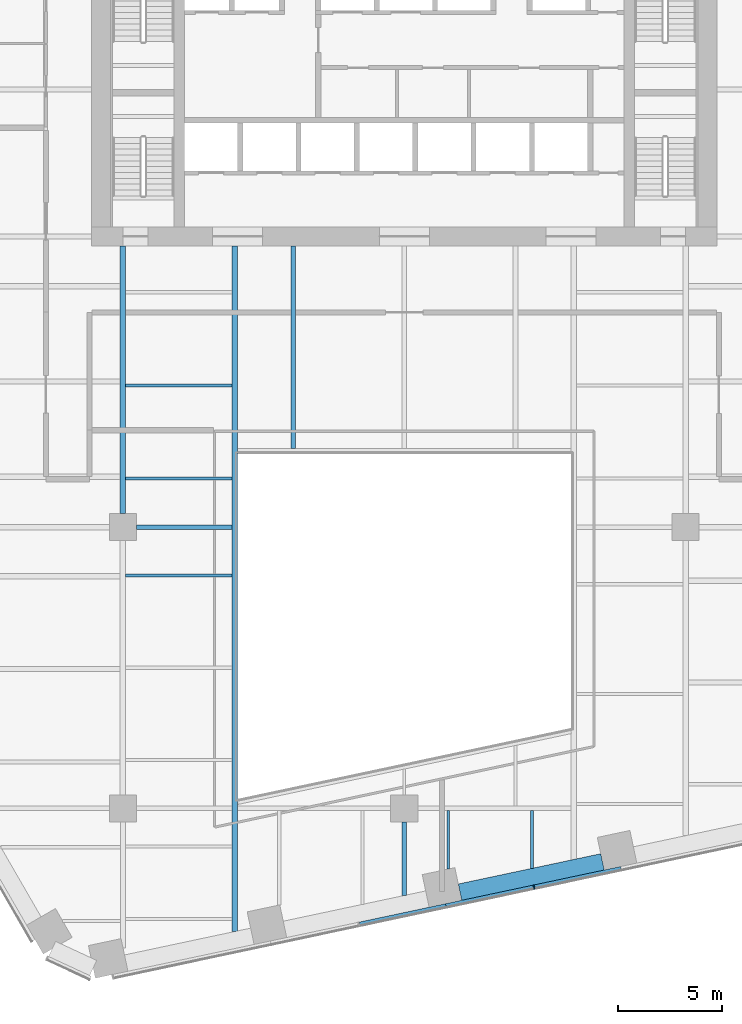
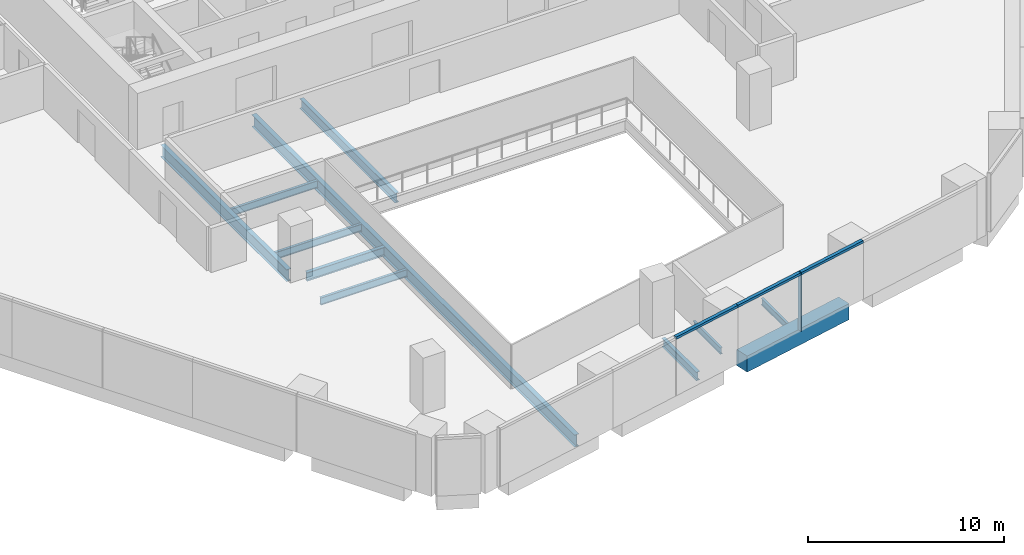
# One storey, part 4 of 19: 11 beams, 4 members, 1 element without a shape of its own.
"""IFC4 building model written with IfcOpenShell, lengths in metres."""

from ifc_helpers import new_model, si_unit, direction, frame, origin, origin_2d, place, context, subcontext, project, spatial, rectangle, i_section, extrude, material, layer, layer_set, material_profile, profile_set, type_object, element, aggregate, save


model = new_model("IFC4")

# Units and contexts
model_context = context("Model", 3, precision=1e-05, world=origin(), true_north=direction((0.0, 1.0)))
body_context = subcontext(model_context, "Body", "Model", "MODEL_VIEW")
ifc_project = project(units=[si_unit("LENGTHUNIT", "METRE"), si_unit("AREAUNIT", "SQUARE_METRE"), si_unit("VOLUMEUNIT", "CUBIC_METRE"), si_unit("PLANEANGLEUNIT", "RADIAN"), si_unit("MASSUNIT", "GRAM", prefix="KILO")], contexts=[model_context])

# Site, building, storey
site_placement = place(None, origin())
site = spatial("IfcSite", under=ifc_project, at=site_placement, CompositionType="ELEMENT")
building_placement = place(site_placement, origin())
building = spatial("IfcBuilding", under=site, at=building_placement, Name="Isthmus Gate Tower", CompositionType="ELEMENT")
storey_placement = place(building_placement, frame((0.0, 0.0, 95.25)))
storey = spatial("IfcBuildingStorey", under=building, at=storey_placement, Name="L22", CompositionType="ELEMENT", Elevation=95.25)

# Curtain wall, members
ifc_material_1 = material(Name="Aluminium, pale champagne anodised", Category="aluminium")
ifc_layer = layer(ifc_material_1, 0.199951171875)
ifc_layer_set = layer_set([ifc_layer], Name="CW-1 UNITISED CURTAIN WALL 200 DEEP")
curtain_wall_type = type_object("IfcCurtainWallType", Name="CW-1 UNITISED CURTAIN WALL 200 DEEP", PredefinedType="NOTDEFINED", material=ifc_layer_set)
curtain_wall_placement = place(storey_placement, origin())
curtain_wall = element("IfcCurtainWall", 1, at=curtain_wall_placement, inside=storey, type_object=curtain_wall_type, Name="CW-1 S L22", PredefinedType="NOTDEFINED")
ifc_material_2 = material(Name="Aluminium, pale champagne anodised", Category="aluminium")
ifc_material_profile_1 = material_profile(ifc_material_2, rectangle(XDim=0.06005859375, YDim=0.199951171875, at=origin_2d()), Name="60x200")
ifc_profile_set_1 = profile_set([ifc_material_profile_1], Name="Aluminium, pale champagne anodised")
member_type_1 = type_object("IfcMemberType", Name="CW-1 MULLION 60 X 200", PredefinedType="MULLION", material=ifc_profile_set_1)
member_1_placement = place(storey_placement, frame((6.228759765625, -30.7783203125, 0.0), z_axis=(0.0, 0.0, 1.0), x_axis=(0.978147600734, 0.207911690818, 0.0)))
member_1 = element("IfcMember", 2, at=member_1_placement, type_object=member_type_1, Name="CW-1 mullion", PredefinedType="MULLION", context=body_context, shape_type="SweptSolid", body=[
    extrude(rectangle(XDim=0.06005859375, YDim=0.199951171875, at=origin_2d()), origin(), (0.0, 0.0, 1.0), 3.64990234375),
])
ifc_material_3 = material(Name="Aluminium, pale champagne anodised", Category="aluminium")
ifc_material_profile_2 = material_profile(ifc_material_3, rectangle(XDim=0.199951171875, YDim=0.14990234375, at=origin_2d()), Name="200x150")
ifc_profile_set_2 = profile_set([ifc_material_profile_2], Name="Aluminium, pale champagne anodised")
member_type_2 = type_object("IfcMemberType", Name="CW-1 TRANSOM 200 X 150", PredefinedType="USERDEFINED", material=ifc_profile_set_2)
member_2_placement = place(storey_placement, frame((-2.1435546875, -32.557861328125, 3.574951171875), z_axis=(0.978150351608, 0.20789874855, 0.0), x_axis=(-0.20789874855, 0.978150351608, 0.0)))
member_2 = element("IfcMember", 3, at=member_2_placement, type_object=member_type_2, Name="CW-1 transom", ObjectType="TRANSOM", PredefinedType="USERDEFINED", context=body_context, shape_type="SweptSolid", body=[
    extrude(rectangle(XDim=0.199951171875, YDim=0.14990234375, at=origin_2d()), origin(), (0.0, 0.0, 1.0), 4.234619140625),
])
member_3_placement = place(storey_placement, frame((1.99853515625, -31.677490234375, 3.574951171875), z_axis=(0.97813890815, 0.207952582007, 0.0), x_axis=(-0.207952582007, 0.97813890815, 0.0)))
member_3 = element("IfcMember", 4, at=member_3_placement, type_object=member_type_2, Name="CW-1 transom", ObjectType="TRANSOM", PredefinedType="USERDEFINED", context=body_context, shape_type="SweptSolid", body=[
    extrude(rectangle(XDim=0.199951171875, YDim=0.14990234375, at=origin_2d()), origin(), (0.0, 0.0, 1.0), 4.294677734375),
])
member_4_placement = place(storey_placement, frame((6.258056640625, -30.77197265625, 3.574951171875), z_axis=(0.978150351608, 0.20789874855, 0.0), x_axis=(-0.20789874855, 0.978150351608, 0.0)))
member_4 = element("IfcMember", 5, at=member_4_placement, type_object=member_type_2, Name="CW-1 transom", ObjectType="TRANSOM", PredefinedType="USERDEFINED", context=body_context, shape_type="SweptSolid", body=[
    extrude(rectangle(XDim=0.199951171875, YDim=0.14990234375, at=origin_2d()), origin(), (0.0, 0.0, 1.0), 4.234619140625),
])
aggregate(curtain_wall, [member_2, member_3, member_1, member_4])

# Beams
ifc_material_4 = material(Name="Concrete f'c 70 MPa", Category="concrete")
ifc_material_profile_3 = material_profile(ifc_material_4, rectangle(XDim=0.800048828125, YDim=1.0, at=origin_2d()), Name="RC 800X1000")
ifc_profile_set_3 = profile_set([ifc_material_profile_3], Name="Concrete f'c 70 MPa")
beam_type_1 = type_object("IfcBeamType", Name="RC SPANDREL 800 X 1000", PredefinedType="SPANDREL", material=ifc_profile_set_3)
beam_1_placement = place(storey_placement, frame((9.513671875, -29.56884765625, -0.5), z_axis=(-0.978149173437, -0.207904291694, 0.0), x_axis=(0.207904291694, -0.978149173437, 0.0)))
element("IfcBeam", 6, at=beam_1_placement, inside=storey, type_object=beam_type_1, Name="str-spandrel-L22-11", PredefinedType="SPANDREL", context=body_context, shape_type="SweptSolid", body=[
    extrude(rectangle(XDim=0.800048828125, YDim=1.0, at=origin_2d()), origin(), (0.0, 0.0, 1.0), 6.989501953125),
])
ifc_material_5 = material(Name="Structural steel ASTM A992 Gr 50", Category="steel")
ifc_material_profile_4 = material_profile(ifc_material_5, i_section(OverallWidth=0.1396484375, OverallDepth=0.4033203125, WebThickness=0.00634765625, FlangeThickness=0.010986328125, at=origin_2d()), Name="W16X31")
ifc_profile_set_4 = profile_set([ifc_material_profile_4], Name="Structural steel ASTM A992 Gr 50")
beam_type_2 = type_object("IfcBeamType", Name="STEEL FLOOR BEAM W16X31", PredefinedType="JOIST", material=ifc_profile_set_4)
beam_2_placement = place(storey_placement, frame((2.111572265625, -29.91552734375, -0.3515625), z_axis=(0.0, 1.0, 0.0), x_axis=(-1.0, 0.0, 0.0)))
element("IfcBeam", 7, at=beam_2_placement, inside=storey, type_object=beam_type_2, Name="str-beam-L22-19-00", PredefinedType="JOIST", context=body_context, shape_type="SweptSolid", body=[
    extrude(i_section(OverallWidth=0.1396484375, OverallDepth=0.4033203125, WebThickness=0.00634765625, FlangeThickness=0.010986328125, at=origin_2d()), origin(), (0.0, 0.0, 1.0), 2.80126953125),
])
beam_3_placement = place(storey_placement, frame((6.125, -29.880126953125, -0.3515625), z_axis=(0.0, 1.0, 0.0), x_axis=(-1.0, 0.0, 0.0)))
element("IfcBeam", 8, at=beam_3_placement, inside=storey, type_object=beam_type_2, Name="str-beam-L22-19-01", PredefinedType="JOIST", context=body_context, shape_type="SweptSolid", body=[
    extrude(i_section(OverallWidth=0.1396484375, OverallDepth=0.4033203125, WebThickness=0.00634765625, FlangeThickness=0.010986328125, at=origin_2d()), origin(), (0.0, 0.0, 1.0), 2.765869140625),
])
ifc_material_6 = material(Name="Structural steel ASTM A992 Gr 50", Category="steel")
ifc_material_profile_5 = material_profile(ifc_material_6, i_section(OverallWidth=0.15234375, OverallDepth=0.45068359375, WebThickness=0.0078125, FlangeThickness=0.010986328125, at=origin_2d()), Name="W18X35")
ifc_profile_set_5 = profile_set([ifc_material_profile_5], Name="Structural steel ASTM A992 Gr 50")
beam_type_3 = type_object("IfcBeamType", Name="STEEL FLOOR BEAM W18X35", PredefinedType="JOIST", material=ifc_profile_set_5)
for number, where, z_axis, x_axis, name in (
    (9, (-13.3681640625, -11.16259765625, -0.37548828125), (1.0, 0.0, 0.0), (0.0, 1.0, 0.0), "str-beam-L22-12-00"),
    (10, (-13.3681640625, -6.697509765625, -0.37548828125), (1.0, 0.0, 0.0), (0.0, 1.0, 0.0), "str-beam-L22-12-01"),
    (11, (-13.3681640625, -15.81982421875, -0.37548828125), (1.0, 0.0, 0.0), (0.0, 1.0, 0.0), "str-beam-L22-13-02"),
):
    element("IfcBeam", number, at=place(storey_placement, frame(where, z_axis=z_axis, x_axis=x_axis)), inside=storey, type_object=beam_type_3, Name=name, PredefinedType="JOIST", context=body_context, shape_type="SweptSolid", body=[
        extrude(i_section(OverallWidth=0.15234375, OverallDepth=0.45068359375, WebThickness=0.0078125, FlangeThickness=0.010986328125, at=origin_2d()), origin(), (0.0, 0.0, 1.0), 5.1015625),
    ])
ifc_material_7 = material(Name="Structural steel ASTM A992 Gr 50", Category="steel")
ifc_material_profile_6 = material_profile(ifc_material_7, i_section(OverallWidth=0.228515625, OverallDepth=0.603271484375, WebThickness=0.010986328125, FlangeThickness=0.014404296875, at=origin_2d()), Name="W24X68")
ifc_profile_set_6 = profile_set([ifc_material_profile_6], Name="Structural steel ASTM A992 Gr 50")
beam_type_4 = type_object("IfcBeamType", Name="STEEL FLOOR BEAM W24X68", PredefinedType="JOIST", material=ifc_profile_set_6)
beam_4_placement = place(storey_placement, frame((-5.333251953125, -9.7333984375, -0.45166015625), z_axis=(0.0, 1.0, 0.0), x_axis=(-1.0, 0.0, 0.0)))
element("IfcBeam", 12, at=beam_4_placement, inside=storey, type_object=beam_type_4, Name="str-beam-L22-17-00", PredefinedType="JOIST", context=body_context, shape_type="SweptSolid", body=[
    extrude(i_section(OverallWidth=0.228515625, OverallDepth=0.603271484375, WebThickness=0.010986328125, FlangeThickness=0.014404296875, at=origin_2d()), origin(), (0.0, 0.0, 1.0), 9.7333984375),
])
ifc_material_8 = material(Name="Structural steel ASTM A992 Gr 50", Category="steel")
ifc_material_profile_7 = material_profile(ifc_material_8, i_section(OverallWidth=0.20947265625, OverallDepth=0.533447265625, WebThickness=0.009521484375, FlangeThickness=0.015869140625, at=origin_2d()), Name="W21X62")
ifc_profile_set_7 = profile_set([ifc_material_profile_7], Name="Structural steel ASTM A992 Gr 50")
beam_type_5 = type_object("IfcBeamType", Name="STEEL GIRDER W21X62", PredefinedType="BEAM", material=ifc_profile_set_7)
beam_5_placement = place(storey_placement, frame((-12.85009765625, -13.5, -0.416748046875), z_axis=(1.0, 0.0, 0.0), x_axis=(0.0, 1.0, 0.0)))
element("IfcBeam", 13, at=beam_5_placement, inside=storey, type_object=beam_type_5, Name="str-girder-L22-06", PredefinedType="BEAM", context=body_context, shape_type="SweptSolid", body=[
    extrude(i_section(OverallWidth=0.20947265625, OverallDepth=0.533447265625, WebThickness=0.009521484375, FlangeThickness=0.015869140625, at=origin_2d()), origin(), (0.0, 0.0, 1.0), 4.58349609375),
])
beam_6_placement = place(storey_placement, frame((0.0, -31.18212890625, -0.416748046875), z_axis=(0.0, 1.0, 0.0), x_axis=(-1.0, 0.0, 0.0)))
element("IfcBeam", 14, at=beam_6_placement, inside=storey, type_object=beam_type_5, Name="str-girder-L22-29", PredefinedType="BEAM", context=body_context, shape_type="SweptSolid", body=[
    extrude(i_section(OverallWidth=0.20947265625, OverallDepth=0.533447265625, WebThickness=0.009521484375, FlangeThickness=0.015869140625, at=origin_2d()), origin(), (0.0, 0.0, 1.0), 3.5322265625),
])
ifc_material_9 = material(Name="Structural steel ASTM A992 Gr 50", Category="steel")
ifc_material_profile_8 = material_profile(ifc_material_9, i_section(OverallWidth=0.263427734375, OverallDepth=0.749267578125, WebThickness=0.0126953125, FlangeThickness=0.015869140625, at=origin_2d()), Name="W30X90")
ifc_profile_set_8 = profile_set([ifc_material_profile_8], Name="Structural steel ASTM A992 Gr 50")
beam_type_6 = type_object("IfcBeamType", Name="STEEL GIRDER W30X90", PredefinedType="BEAM", material=ifc_profile_set_8)
beam_7_placement = place(storey_placement, frame((-13.5, -12.85009765625, -0.524658203125), z_axis=(0.0, 1.0, 0.0), x_axis=(-1.0, 0.0, 0.0)))
element("IfcBeam", 15, at=beam_7_placement, inside=storey, type_object=beam_type_6, Name="str-girder-L22-26", PredefinedType="BEAM", context=body_context, shape_type="SweptSolid", body=[
    extrude(i_section(OverallWidth=0.263427734375, OverallDepth=0.749267578125, WebThickness=0.0126953125, FlangeThickness=0.015869140625, at=origin_2d()), origin(), (0.0, 0.0, 1.0), 12.85009765625),
])
ifc_material_10 = material(Name="Structural steel ASTM A992 Gr 50", Category="steel")
ifc_material_profile_9 = material_profile(ifc_material_10, i_section(OverallWidth=0.2666015625, OverallDepth=0.7587890625, WebThickness=0.014404296875, FlangeThickness=0.01904296875, at=origin_2d()), Name="W30X108")
ifc_profile_set_9 = profile_set([ifc_material_profile_9], Name="Structural steel ASTM A992 Gr 50")
beam_type_7 = type_object("IfcBeamType", Name="STEEL TRIMMER W30X108", PredefinedType="BEAM", material=ifc_profile_set_9)
beam_8_placement = place(storey_placement, frame((-8.13330078125, 0.0, -0.529296875), z_axis=(0.0, -1.0, 0.0), x_axis=(1.0, 0.0, 0.0)))
element("IfcBeam", 16, at=beam_8_placement, inside=storey, type_object=beam_type_7, Name="str-trimmer-L22-02", PredefinedType="BEAM", context=body_context, shape_type="SweptSolid", body=[
    extrude(i_section(OverallWidth=0.2666015625, OverallDepth=0.7587890625, WebThickness=0.014404296875, FlangeThickness=0.01904296875, at=origin_2d()), origin(), (0.0, 0.0, 1.0), 32.910888671875),
])

save(model, "model.ifc")
